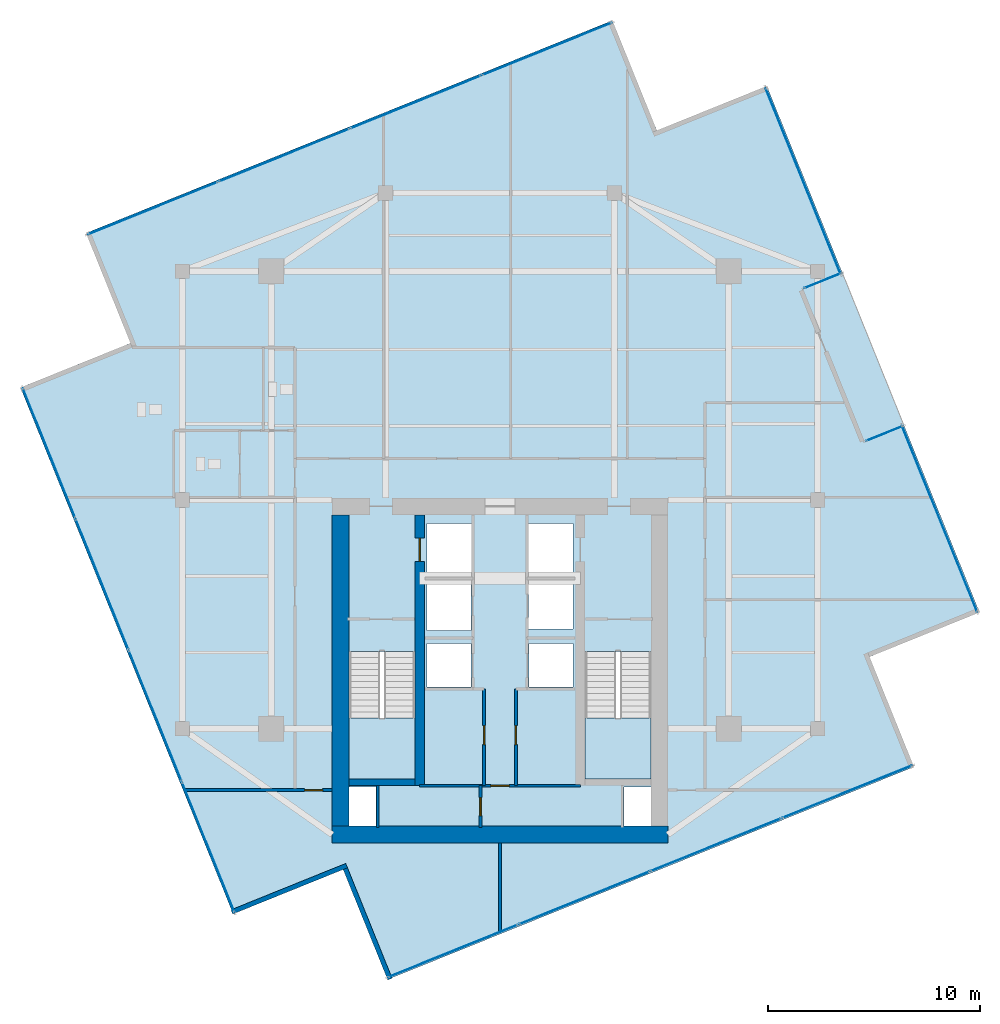
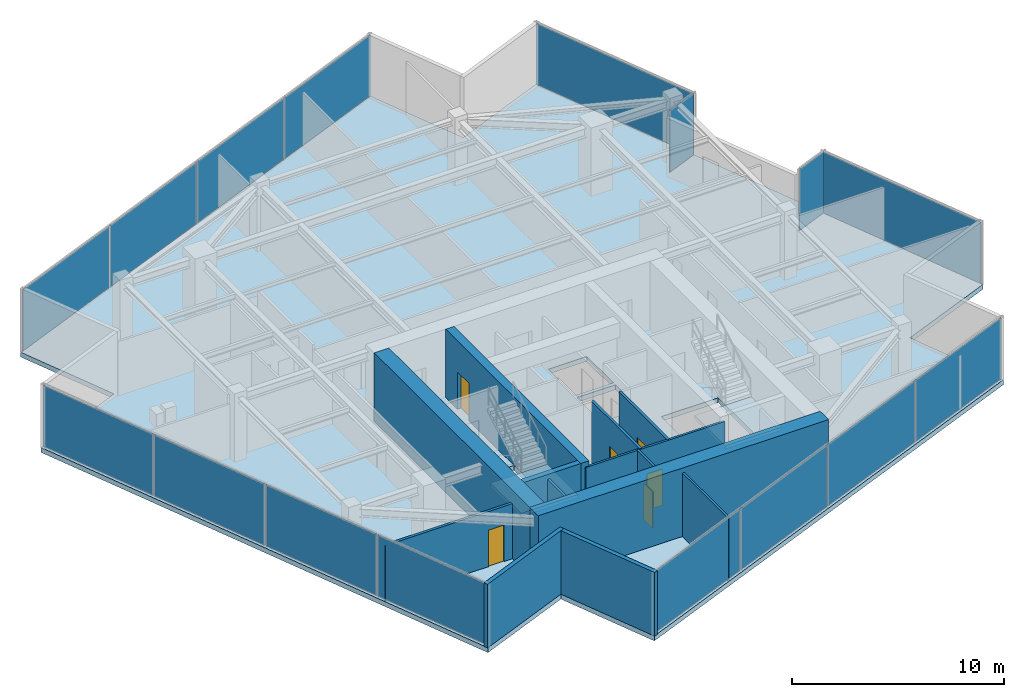
# One storey, part 17 of 21: 16 plates, 13 walls, 6 doors, 3 slabs, 6 openings, 9 elements without a shape of their own.
"""IFC4 building model written with IfcOpenShell, lengths in metres."""

from ifc_helpers import new_model, si_unit, direction, frame, frame_2d, origin, origin_2d, place, context, subcontext, project, spatial, polyline, rectangle, outline, extrude, source, transform, mapped, material, layer, layer_set, type_object, type_shapes, element, fill, aggregate, save


model = new_model("IFC4")

# Units and contexts
model_context = context("Model", 3, precision=1e-05, world=origin(), true_north=direction((0.0, 1.0)))
body_context = subcontext(model_context, "Body", "Model", "MODEL_VIEW")
ifc_project = project(units=[si_unit("LENGTHUNIT", "METRE"), si_unit("AREAUNIT", "SQUARE_METRE"), si_unit("VOLUMEUNIT", "CUBIC_METRE"), si_unit("PLANEANGLEUNIT", "RADIAN"), si_unit("MASSUNIT", "GRAM", prefix="KILO")], contexts=[model_context])

# Site, building, storey
site_placement = place(None, origin())
site = spatial("IfcSite", under=ifc_project, at=site_placement, CompositionType="ELEMENT")
building_placement = place(site_placement, origin())
building = spatial("IfcBuilding", under=site, at=building_placement, Name="Krantzveldt Concourse Tower", CompositionType="ELEMENT")
storey_placement = place(building_placement, frame((0.0, 0.0, 327.699951171875)))
storey = spatial("IfcBuildingStorey", under=building, at=storey_placement, Name="L80", CompositionType="ELEMENT", Elevation=327.699951171875)

# Stair, slab
ifc_material_1 = material(Name="Precast concrete C40/50", Category="concrete")
stair_type = type_object("IfcStairType", Name="STR-CORE-DOGLEG", PredefinedType="HALF_TURN_STAIR", material=ifc_material_1)
stair_1_placement = place(storey_placement, origin())
stair_1 = element("IfcStair", 1, at=stair_1_placement, inside=storey, type_object=stair_type, Name="L80 Protected Escape Stair ST-1", PredefinedType="HALF_TURN_STAIR")
ifc_layer_1 = layer(ifc_material_1, 0.199951171875, Name="Precast concrete C40/50", Category="concrete")
ifc_layer_set_1 = layer_set([ifc_layer_1], Name="Precast concrete C40/50 (SL-LANDING-200)")
slab_type_1 = type_object("IfcSlabType", Name="SL-LANDING-200", PredefinedType="LANDING", material=ifc_layer_set_1)
slab_1_placement = place(storey_placement, frame((0.0, 0.0, 1.775146484375)))
slab_1 = element("IfcSlab", 2, at=slab_1_placement, type_object=slab_type_1, Name="ST-1 landing 1", PredefinedType="LANDING", context=body_context, shape_type="SweptSolid", body=[
    extrude(outline(polyline([(28.8798828125, 16.4150390625), (28.8798828125, 13.52001953125), (31.97998046875, 13.52001953125), (31.97998046875, 16.4150390625), (28.8798828125, 16.4150390625)])), origin(), (0.0, 0.0, 1.0), 0.199951171875),
])
aggregate(stair_1, [slab_1])

stair_2_placement = place(storey_placement, origin())
stair_2 = element("IfcStair", 3, at=stair_2_placement, inside=storey, type_object=stair_type, Name="L80 Protected Escape Stair ST-2", PredefinedType="HALF_TURN_STAIR")
slab_2_placement = place(storey_placement, frame((0.0, 0.0, 1.775146484375)))
slab_2 = element("IfcSlab", 4, at=slab_2_placement, type_object=slab_type_1, Name="ST-2 landing 1", PredefinedType="LANDING", context=body_context, shape_type="SweptSolid", body=[
    extrude(outline(polyline([(40.02001953125, 16.4150390625), (40.02001953125, 13.52001953125), (43.1201171875, 13.52001953125), (43.1201171875, 16.4150390625), (40.02001953125, 16.4150390625)])), origin(), (0.0, 0.0, 1.0), 0.199951171875),
])
aggregate(stair_2, [slab_2])

# Slab
ifc_material_2 = material(Name="Concrete C40/50", Category="concrete")
ifc_layer_2 = layer(ifc_material_2, 0.280029296875, Name="Concrete C40/50", Category="concrete")
ifc_layer_set_2 = layer_set([ifc_layer_2], Name="Concrete C40/50 (SL-SL-TER280)")
slab_type_2 = type_object("IfcSlabType", Name="SL-SL-TER280", PredefinedType="FLOOR", material=ifc_layer_set_2)
slab_3_placement = place(storey_placement, frame((0.0, 0.0, -0.280029296875)))
element("IfcSlab", 5, at=slab_3_placement, inside=storey, type_object=slab_type_2, Name="SL-L80-MAIN", PredefinedType="FLOOR", context=body_context, shape_type="SweptSolid", body=[
    extrude(outline(polyline([(43.404541015625, 44.14404296875), (41.306640625, 49.336181640625), (16.458251953125, 39.296875), (18.555908203125, 34.1044921875), (13.36376953125, 32.0068359375), (23.4033203125, 7.158203125), (28.595458984375, 9.256103515625), (30.693359375, 4.063720703125), (55.541748046875, 14.103271484375), (53.444091796875, 19.29541015625), (58.63623046875, 21.393310546875), (48.5966796875, 46.24169921875), (43.404541015625, 44.14404296875)]), holes=[polyline([(28.8798828125, 19.547607421875), (28.8798828125, 13.52001953125), (31.97998046875, 13.52001953125), (31.97998046875, 19.547607421875), (28.8798828125, 19.547607421875)]), polyline([(40.02001953125, 19.547607421875), (40.02001953125, 13.52001953125), (43.1201171875, 13.52001953125), (43.1201171875, 19.547607421875), (40.02001953125, 19.547607421875)]), polyline([(32.550048828125, 23.10009765625), (34.64990234375, 23.10009765625), (34.64990234375, 25.60009765625), (32.550048828125, 25.60009765625), (32.550048828125, 23.10009765625)]), polyline([(37.35009765625, 23.10009765625), (39.449951171875, 23.10009765625), (39.449951171875, 25.60009765625), (37.35009765625, 25.60009765625), (37.35009765625, 23.10009765625)]), polyline([(37.35009765625, 20.60009765625), (39.449951171875, 20.60009765625), (39.449951171875, 22.89990234375), (37.35009765625, 22.89990234375), (37.35009765625, 20.60009765625)]), polyline([(32.550048828125, 20.550048828125), (34.6201171875, 20.550048828125), (34.6201171875, 22.89990234375), (32.550048828125, 22.89990234375), (32.550048828125, 20.550048828125)]), polyline([(32.550048828125, 17.8798828125), (34.6201171875, 17.8798828125), (34.6201171875, 19.919921875), (32.550048828125, 19.919921875), (32.550048828125, 17.8798828125)]), polyline([(37.3798828125, 17.8798828125), (39.449951171875, 17.8798828125), (39.449951171875, 19.919921875), (37.3798828125, 19.919921875), (37.3798828125, 17.8798828125)]), polyline([(28.8798828125, 11.320068359375), (30.139892578125, 11.320068359375), (30.139892578125, 13.159912109375), (28.8798828125, 13.159912109375), (28.8798828125, 11.320068359375)]), polyline([(41.860107421875, 11.320068359375), (43.1201171875, 11.320068359375), (43.1201171875, 13.159912109375), (41.860107421875, 13.159912109375), (41.860107421875, 11.320068359375)])]), origin(), (0.0, 0.0, 1.0), 0.280029296875),
])

# Curtain wall, plate
ifc_material_3 = material(Name="Anodised aluminium 6063-T6", Category="aluminium")
curtain_wall_type_1 = type_object("IfcCurtainWallType", Name="CW6", PredefinedType="USERDEFINED", material=ifc_material_3)
curtain_wall_1_placement = place(storey_placement, origin())
curtain_wall_1 = element("IfcCurtainWall", 6, at=curtain_wall_1_placement, inside=storey, type_object=curtain_wall_type_1, Name="CW-L80-TR11", ObjectType="UNITISED CURTAIN WALL", PredefinedType="USERDEFINED")
ifc_material_4 = material(Name="Bronze-tinted laminated low-E IGU glass", Category="glass")
ifc_layer_3 = layer(ifc_material_4, 0.031982421875, Name="Bronze-tinted laminated low-E IGU glass", Category="glass")
ifc_layer_set_3 = layer_set([ifc_layer_3], Name="Bronze-tinted laminated low-E IGU glass (CW-GLZ-32)")
plate_type = type_object("IfcPlateType", Name="CW-GLZ-32", PredefinedType="CURTAIN_PANEL", material=ifc_layer_set_3)
shared_shape_1 = source(origin(), body_context, "Body", "SweptSolid", [
    extrude(rectangle(XDim=1.860107421875, YDim=0.031982421875, at=origin_2d()), origin(), (0.0, 0.0, 1.0), 3.530029296875),
])
plate_1_placement = place(storey_placement, frame((54.146484375, 29.836181640625, 0.06982421875), z_axis=(0.0, 0.0, 1.0), x_axis=(-0.9271828321, -0.374609124101, 0.0)))
plate_1 = element("IfcPlate", 7, at=plate_1_placement, type_object=plate_type, Name="CW-TERR panel 1.1", PredefinedType="CURTAIN_PANEL", context=body_context, shape_type="MappedRepresentation", body=[
    mapped(shared_shape_1, transform((0.0, 0.0, 0.0), x_axis=(1.0, 0.0, 0.0), y_axis=(0.0, 1.0, 0.0), z_axis=(0.0, 0.0, 1.0), scale=1.0)),
])
aggregate(curtain_wall_1, [plate_1])

curtain_wall_2_placement = place(storey_placement, origin())
curtain_wall_2 = element("IfcCurtainWall", 8, at=curtain_wall_2_placement, inside=storey, type_object=curtain_wall_type_1, Name="CW-L80-TR13", ObjectType="UNITISED CURTAIN WALL", PredefinedType="USERDEFINED")
plate_2_placement = place(storey_placement, frame((51.232177734375, 37.049560546875, 0.06982421875), z_axis=(0.0, 0.0, 1.0), x_axis=(0.927184568743, 0.374604825762, 0.0)))
plate_2 = element("IfcPlate", 9, at=plate_2_placement, type_object=plate_type, Name="CW-TERR panel 1.1", PredefinedType="CURTAIN_PANEL", context=body_context, shape_type="MappedRepresentation", body=[
    mapped(shared_shape_1, transform((0.0, 0.0, 0.0), x_axis=(1.0, 0.0, 0.0), y_axis=(0.0, 1.0, 0.0), z_axis=(0.0, 0.0, 1.0), scale=1.0)),
])
aggregate(curtain_wall_2, [plate_2])

# Curtain wall, plates
curtain_wall_type_2 = type_object("IfcCurtainWallType", Name="CW4", PredefinedType="USERDEFINED", material=ifc_material_3)
curtain_wall_3_placement = place(storey_placement, origin())
curtain_wall_3 = element("IfcCurtainWall", 10, at=curtain_wall_3_placement, inside=storey, type_object=curtain_wall_type_2, Name="CW-L80-F01", ObjectType="UNITISED CURTAIN WALL", PredefinedType="USERDEFINED")
shared_shape_2 = source(origin(), body_context, "Body", "SweptSolid", [
    extrude(rectangle(XDim=6.594970703125, YDim=0.031982421875, at=origin_2d()), origin(), (0.0, 0.0, 1.0), 3.530029296875),
])
plate_3_placement = place(storey_placement, frame((38.21826171875, 47.9912109375, 0.06982421875), z_axis=(0.0, 0.0, 1.0), x_axis=(-0.927183825969, -0.374606664198, 0.0)))
plate_3 = element("IfcPlate", 11, at=plate_3_placement, type_object=plate_type, Name="CW-Z56 panel 1.1", PredefinedType="CURTAIN_PANEL", context=body_context, shape_type="MappedRepresentation", body=[
    mapped(shared_shape_2, transform((0.0, 0.0, 0.0), x_axis=(1.0, 0.0, 0.0), y_axis=(0.0, 1.0, 0.0), z_axis=(0.0, 0.0, 1.0), scale=1.0)),
])
plate_4_placement = place(storey_placement, frame((19.6142578125, 40.474853515625, 0.06982421875), z_axis=(0.0, 0.0, 1.0), x_axis=(-0.927183825969, -0.374606664198, 0.0)))
plate_4 = element("IfcPlate", 12, at=plate_4_placement, type_object=plate_type, Name="CW-Z56 panel 4.1", PredefinedType="CURTAIN_PANEL", context=body_context, shape_type="MappedRepresentation", body=[
    mapped(shared_shape_2, transform((0.0, 0.0, 0.0), x_axis=(1.0, 0.0, 0.0), y_axis=(0.0, 1.0, 0.0), z_axis=(0.0, 0.0, 1.0), scale=1.0)),
])

curtain_wall_4_placement = place(storey_placement, origin())
curtain_wall_4 = element("IfcCurtainWall", 13, at=curtain_wall_4_placement, inside=storey, type_object=curtain_wall_type_2, Name="CW-L80-F04", ObjectType="UNITISED CURTAIN WALL", PredefinedType="USERDEFINED")
plate_5_placement = place(storey_placement, frame((14.708740234375, 28.918212890625, 0.06982421875), z_axis=(0.0, 0.0, 1.0), x_axis=(0.374606664198, -0.927183825969, 0.0)))
plate_5 = element("IfcPlate", 14, at=plate_5_placement, type_object=plate_type, Name="CW-Z56 panel 1.1", PredefinedType="CURTAIN_PANEL", context=body_context, shape_type="MappedRepresentation", body=[
    mapped(shared_shape_2, transform((0.0, 0.0, 0.0), x_axis=(1.0, 0.0, 0.0), y_axis=(0.0, 1.0, 0.0), z_axis=(0.0, 0.0, 1.0), scale=1.0)),
])
plate_6_placement = place(storey_placement, frame((22.22509765625, 10.314208984375, 0.06982421875), z_axis=(0.0, 0.0, 1.0), x_axis=(0.374606664198, -0.927183825969, 0.0)))
plate_6 = element("IfcPlate", 15, at=plate_6_placement, type_object=plate_type, Name="CW-Z56 panel 4.1", PredefinedType="CURTAIN_PANEL", context=body_context, shape_type="MappedRepresentation", body=[
    mapped(shared_shape_2, transform((0.0, 0.0, 0.0), x_axis=(1.0, 0.0, 0.0), y_axis=(0.0, 1.0, 0.0), z_axis=(0.0, 0.0, 1.0), scale=1.0)),
])

curtain_wall_5_placement = place(storey_placement, origin())
curtain_wall_5 = element("IfcCurtainWall", 16, at=curtain_wall_5_placement, inside=storey, type_object=curtain_wall_type_2, Name="CW-L80-F07", ObjectType="UNITISED CURTAIN WALL", PredefinedType="USERDEFINED")
plate_7_placement = place(storey_placement, frame((33.78173828125, 5.40869140625, 0.06982421875), z_axis=(0.0, 0.0, 1.0), x_axis=(0.927183825969, 0.374606664198, 0.0)))
plate_7 = element("IfcPlate", 17, at=plate_7_placement, type_object=plate_type, Name="CW-Z56 panel 1.1", PredefinedType="CURTAIN_PANEL", context=body_context, shape_type="MappedRepresentation", body=[
    mapped(shared_shape_2, transform((0.0, 0.0, 0.0), x_axis=(1.0, 0.0, 0.0), y_axis=(0.0, 1.0, 0.0), z_axis=(0.0, 0.0, 1.0), scale=1.0)),
])
plate_8_placement = place(storey_placement, frame((52.3857421875, 12.92529296875, 0.06982421875), z_axis=(0.0, 0.0, 1.0), x_axis=(0.927183825969, 0.374606664198, 0.0)))
plate_8 = element("IfcPlate", 18, at=plate_8_placement, type_object=plate_type, Name="CW-Z56 panel 4.1", PredefinedType="CURTAIN_PANEL", context=body_context, shape_type="MappedRepresentation", body=[
    mapped(shared_shape_2, transform((0.0, 0.0, 0.0), x_axis=(1.0, 0.0, 0.0), y_axis=(0.0, 1.0, 0.0), z_axis=(0.0, 0.0, 1.0), scale=1.0)),
])

# Plate
shared_shape_3 = source(origin(), body_context, "Body", "SweptSolid", [
    extrude(rectangle(XDim=6.6298828125, YDim=0.031982421875, at=origin_2d()), origin(), (0.0, 0.0, 1.0), 3.530029296875),
])
plate_9_placement = place(storey_placement, frame((32.022216796875, 45.488037109375, 0.06982421875), z_axis=(0.0, 0.0, 1.0), x_axis=(-0.927183825969, -0.374606664198, 0.0)))
plate_9 = element("IfcPlate", 19, at=plate_9_placement, type_object=plate_type, Name="CW-Z56 panel 2.1", PredefinedType="CURTAIN_PANEL", context=body_context, shape_type="MappedRepresentation", body=[
    mapped(shared_shape_3, transform((0.0, 0.0, 0.0), x_axis=(1.0, 0.0, 0.0), y_axis=(0.0, 1.0, 0.0), z_axis=(0.0, 0.0, 1.0), scale=1.0)),
])

plate_10_placement = place(storey_placement, frame((25.81005859375, 42.97802734375, 0.06982421875), z_axis=(0.0, 0.0, 1.0), x_axis=(-0.927183825969, -0.374606664198, 0.0)))
plate_10 = element("IfcPlate", 20, at=plate_10_placement, type_object=plate_type, Name="CW-Z56 panel 3.1", PredefinedType="CURTAIN_PANEL", context=body_context, shape_type="MappedRepresentation", body=[
    mapped(shared_shape_3, transform((0.0, 0.0, 0.0), x_axis=(1.0, 0.0, 0.0), y_axis=(0.0, 1.0, 0.0), z_axis=(0.0, 0.0, 1.0), scale=1.0)),
])

aggregate(curtain_wall_3, [plate_3, plate_9, plate_10, plate_4])

plate_11_placement = place(storey_placement, frame((17.2119140625, 22.72216796875, 0.06982421875), z_axis=(0.0, 0.0, 1.0), x_axis=(0.374606664198, -0.927183825969, 0.0)))
plate_11 = element("IfcPlate", 21, at=plate_11_placement, type_object=plate_type, Name="CW-Z56 panel 2.1", PredefinedType="CURTAIN_PANEL", context=body_context, shape_type="MappedRepresentation", body=[
    mapped(shared_shape_3, transform((0.0, 0.0, 0.0), x_axis=(1.0, 0.0, 0.0), y_axis=(0.0, 1.0, 0.0), z_axis=(0.0, 0.0, 1.0), scale=1.0)),
])

plate_12_placement = place(storey_placement, frame((19.721923828125, 16.510009765625, 0.06982421875), z_axis=(0.0, 0.0, 1.0), x_axis=(0.374606664198, -0.927183825969, 0.0)))
plate_12 = element("IfcPlate", 22, at=plate_12_placement, type_object=plate_type, Name="CW-Z56 panel 3.1", PredefinedType="CURTAIN_PANEL", context=body_context, shape_type="MappedRepresentation", body=[
    mapped(shared_shape_3, transform((0.0, 0.0, 0.0), x_axis=(1.0, 0.0, 0.0), y_axis=(0.0, 1.0, 0.0), z_axis=(0.0, 0.0, 1.0), scale=1.0)),
])

aggregate(curtain_wall_4, [plate_5, plate_11, plate_12, plate_6])

plate_13_placement = place(storey_placement, frame((39.977783203125, 7.912109375, 0.06982421875), z_axis=(0.0, 0.0, 1.0), x_axis=(0.927183825969, 0.374606664198, 0.0)))
plate_13 = element("IfcPlate", 23, at=plate_13_placement, type_object=plate_type, Name="CW-Z56 panel 2.1", PredefinedType="CURTAIN_PANEL", context=body_context, shape_type="MappedRepresentation", body=[
    mapped(shared_shape_3, transform((0.0, 0.0, 0.0), x_axis=(1.0, 0.0, 0.0), y_axis=(0.0, 1.0, 0.0), z_axis=(0.0, 0.0, 1.0), scale=1.0)),
])

plate_14_placement = place(storey_placement, frame((46.18994140625, 10.421875, 0.06982421875), z_axis=(0.0, 0.0, 1.0), x_axis=(0.927183825969, 0.374606664198, 0.0)))
plate_14 = element("IfcPlate", 24, at=plate_14_placement, type_object=plate_type, Name="CW-Z56 panel 3.1", PredefinedType="CURTAIN_PANEL", context=body_context, shape_type="MappedRepresentation", body=[
    mapped(shared_shape_3, transform((0.0, 0.0, 0.0), x_axis=(1.0, 0.0, 0.0), y_axis=(0.0, 1.0, 0.0), z_axis=(0.0, 0.0, 1.0), scale=1.0)),
])

aggregate(curtain_wall_5, [plate_7, plate_13, plate_14, plate_8])

# Curtain wall, plate
curtain_wall_6_placement = place(storey_placement, origin())
curtain_wall_6 = element("IfcCurtainWall", 25, at=curtain_wall_6_placement, inside=storey, type_object=curtain_wall_type_2, Name="CW-L80-F10", ObjectType="UNITISED CURTAIN WALL", PredefinedType="USERDEFINED")
shared_shape_4 = source(origin(), body_context, "Body", "SweptSolid", [
    extrude(rectangle(XDim=9.4599609375, YDim=0.031982421875, at=origin_2d()), origin(), (0.0, 0.0, 1.0), 3.530029296875),
])
type_shapes(plate_type, [shared_shape_1, shared_shape_2, shared_shape_3, shared_shape_4])
plate_15_placement = place(storey_placement, frame((56.754638671875, 25.81005859375, 0.06982421875), z_axis=(0.0, 0.0, 1.0), x_axis=(-0.374606117426, 0.927184046879, 0.0)))
plate_15 = element("IfcPlate", 26, at=plate_15_placement, type_object=plate_type, Name="CW-Z56 panel 1.1", PredefinedType="CURTAIN_PANEL", context=body_context, shape_type="MappedRepresentation", body=[
    mapped(shared_shape_4, transform((0.0, 0.0, 0.0), x_axis=(1.0, 0.0, 0.0), y_axis=(0.0, 1.0, 0.0), z_axis=(0.0, 0.0, 1.0), scale=1.0)),
])
aggregate(curtain_wall_6, [plate_15])

curtain_wall_7_placement = place(storey_placement, origin())
curtain_wall_7 = element("IfcCurtainWall", 27, at=curtain_wall_7_placement, inside=storey, type_object=curtain_wall_type_2, Name="CW-L80-F14", ObjectType="UNITISED CURTAIN WALL", PredefinedType="USERDEFINED")
plate_16_placement = place(storey_placement, frame((50.3115234375, 41.757568359375, 0.06982421875), z_axis=(0.0, 0.0, 1.0), x_axis=(-0.374607012913, 0.927183685079, 0.0)))
plate_16 = element("IfcPlate", 28, at=plate_16_placement, type_object=plate_type, Name="CW-Z56 panel 1.1", PredefinedType="CURTAIN_PANEL", context=body_context, shape_type="MappedRepresentation", body=[
    mapped(shared_shape_4, transform((0.0, 0.0, 0.0), x_axis=(1.0, 0.0, 0.0), y_axis=(0.0, 1.0, 0.0), z_axis=(0.0, 0.0, 1.0), scale=1.0)),
])
aggregate(curtain_wall_7, [plate_16])

# Walls
ifc_layer_4 = layer(ifc_material_3, 0.219970703125, Name="Anodised aluminium 6063-T6", Category="aluminium")
ifc_layer_set_4 = layer_set([ifc_layer_4], Name="Anodised aluminium 6063-T6 (WL-EXT-NOTCH220)")
wall_type_1 = type_object("IfcWallType", Name="WL-EXT-NOTCH220", PredefinedType="ELEMENTEDWALL", material=ifc_layer_set_4)
wall_1_placement = place(storey_placement, frame((23.3388671875, 7.250732421875, 0.0), z_axis=(0.0, 0.0, 1.0), x_axis=(0.927177676614, 0.374621884023, 0.0)))
element("IfcWall", 29, at=wall_1_placement, inside=storey, type_object=wall_type_1, Name="EW-L80-NCH05", PredefinedType="ELEMENTEDWALL", context=body_context, shape_type="SweptSolid", body=[
    extrude(rectangle(XDim=5.844970703125, YDim=0.219970703125, at=frame_2d((2.92236328125, 0.0))), origin(), (0.0, 0.0, 1.0), 3.670166015625),
])
wall_2_placement = place(storey_placement, frame((28.697509765625, 9.297119140625, 0.0), z_axis=(0.0, 0.0, 1.0), x_axis=(0.374613748588, -0.927180963658, 0.0)))
element("IfcWall", 30, at=wall_2_placement, inside=storey, type_object=wall_type_1, Name="EW-L80-NCH06", PredefinedType="ELEMENTEDWALL", context=body_context, shape_type="SweptSolid", body=[
    extrude(rectangle(XDim=5.625, YDim=0.219970703125, at=frame_2d((2.8125, 0.0))), origin(), (0.0, 0.0, 1.0), 3.670166015625),
])

# Wall, opening, door
ifc_material_5 = material(Name="Fire-rated gypsum plasterboard on steel stud", Category="steel")
ifc_layer_5 = layer(ifc_material_5, 0.1201171875, Name="Fire-rated gypsum plasterboard on steel stud", Category="steel")
ifc_layer_set_5 = layer_set([ifc_layer_5], Name="Fire-rated gypsum plasterboard on steel stud (WL-PART-120)")
wall_type_2 = type_object("IfcWallType", Name="WL-PART-120", PredefinedType="PARTITIONING", material=ifc_layer_set_5)
wall_3_placement = place(storey_placement, frame((32.2099609375, 13.219970703125, 0.0), z_axis=(0.0, 0.0, 1.0), x_axis=(1.0, 0.0, 0.0)))
wall_3 = element("IfcWall", 31, at=wall_3_placement, inside=storey, type_object=wall_type_2, Name="WP-L80-CS2H", PredefinedType="PARTITIONING", context=body_context, shape_type="SweptSolid", body=[
    extrude(rectangle(XDim=7.580078125, YDim=0.1201171875, at=frame_2d((3.7900390625, 0.0))), origin(), (0.0, 0.0, 1.0), 3.670166015625),
])
opening_1_placement = place(wall_3_placement, frame((3.364990234375, 0.0, 0.0)))
opening_1 = element("IfcOpeningElement", 32, at=opening_1_placement, cuts=wall_3, Name="Opening D-IN085", PredefinedType="OPENING", context=body_context, shape_type="SweptSolid", body=[
    extrude(rectangle(XDim=0.85009765625, YDim=2.10009765625, at=frame_2d((0.425048828125, 1.050048828125))), frame((0.0, 0.070068359375, 0.0), z_axis=(0.0, -1.0, 0.0), x_axis=(1.0, 0.0, 0.0)), (0.0, 0.0, 1.0), 0.14013671875),
])
ifc_material_6 = material(Name="Hardwood timber", Category="wood")
door_type_1 = type_object("IfcDoorType", Name="DR-INT-850", OperationType="SINGLE_SWING_LEFT", PredefinedType="DOOR", material=ifc_material_6)
door_1_placement = place(opening_1_placement, origin())
door_1 = element("IfcDoor", 33, at=door_1_placement, inside=storey, type_object=door_type_1, Name="DR-L80-LLBS", OperationType="SINGLE_SWING_RIGHT", OverallHeight=2.10009765625, OverallWidth=0.85009765625, PredefinedType="DOOR", context=body_context, shape_type="SweptSolid", body=[
    extrude(rectangle(XDim=0.85009765625, YDim=2.10009765625, at=frame_2d((0.425048828125, 1.050048828125))), frame((0.0, 0.02490234375, 0.0), z_axis=(0.0, -1.0, 0.0), x_axis=(1.0, 0.0, 0.0)), (0.0, 0.0, 1.0), 0.050048828125),
])
fill(opening_1, door_1)

wall_4_placement = place(storey_placement, frame((35.080078125, 11.25, 0.0), z_axis=(0.0, 0.0, 1.0), x_axis=(0.0, 1.0, 0.0)))
wall_4 = element("IfcWall", 34, at=wall_4_placement, inside=storey, type_object=wall_type_2, Name="WP-L80-CSA-V", PredefinedType="PARTITIONING", context=body_context, shape_type="SweptSolid", body=[
    extrude(rectangle(XDim=1.969970703125, YDim=0.1201171875, at=frame_2d((0.98486328125, 0.0))), origin(), (0.0, 0.0, 1.0), 3.670166015625),
])
opening_2_placement = place(wall_4_placement, frame((0.544921875, 0.0, 0.0)))
opening_2 = element("IfcOpeningElement", 35, at=opening_2_placement, cuts=wall_4, Name="Opening D-IN085", PredefinedType="OPENING", context=body_context, shape_type="SweptSolid", body=[
    extrude(rectangle(XDim=0.85009765625, YDim=2.10009765625, at=frame_2d((0.425048828125, 1.050048828125))), frame((0.0, 0.070068359375, 0.0), z_axis=(0.0, -1.0, 0.0), x_axis=(1.0, 0.0, 0.0)), (0.0, 0.0, 1.0), 0.14013671875),
])
door_2_placement = place(opening_2_placement, origin())
door_2 = element("IfcDoor", 36, at=door_2_placement, inside=storey, type_object=door_type_1, Name="DR-L80-CSA1", OperationType="SINGLE_SWING_LEFT", OverallHeight=2.10009765625, OverallWidth=0.85009765625, PredefinedType="DOOR", context=body_context, shape_type="SweptSolid", body=[
    extrude(rectangle(XDim=0.85009765625, YDim=2.10009765625, at=frame_2d((0.425048828125, 1.050048828125))), frame((0.0, 0.02490234375, 0.0), z_axis=(0.0, -1.0, 0.0), x_axis=(1.0, 0.0, 0.0)), (0.0, 0.0, 1.0), 0.050048828125),
])
fill(opening_2, door_2)

# Wall
wall_5_placement = place(storey_placement, frame((36.0, 6.304931640625, 0.0), z_axis=(0.0, 0.0, 1.0), x_axis=(0.0, 1.0, 0.0)))
element("IfcWall", 37, at=wall_5_placement, inside=storey, type_object=wall_type_2, Name="WP-L80-SSMD", PredefinedType="PARTITIONING", context=body_context, shape_type="SweptSolid", body=[
    extrude(rectangle(XDim=4.195068359375, YDim=0.1201171875, at=frame_2d((2.09765625, 0.0))), origin(), (0.0, 0.0, 1.0), 3.670166015625),
])

# Wall, opening, door
ifc_layer_6 = layer(ifc_material_5, 0.139892578125, Name="Fire-rated gypsum plasterboard on steel stud", Category="steel")
ifc_layer_set_6 = layer_set([ifc_layer_6], Name="Fire-rated gypsum plasterboard on steel stud (WL-PART-140)")
wall_type_3 = type_object("IfcWallType", Name="WL-PART-140", PredefinedType="PARTITIONING", material=ifc_layer_set_6)
wall_6_placement = place(storey_placement, frame((21.14013671875, 13.0, 0.0), z_axis=(0.0, 0.0, 1.0), x_axis=(1.0, 0.0, 0.0)))
wall_6 = element("IfcWall", 38, at=wall_6_placement, inside=storey, type_object=wall_type_3, Name="WP-L80-CSBOTW", PredefinedType="PARTITIONING", context=body_context, shape_type="SweptSolid", body=[
    extrude(rectangle(XDim=6.93994140625, YDim=0.139892578125, at=frame_2d((3.469970703125, 0.0))), origin(), (0.0, 0.0, 1.0), 3.179931640625),
])
opening_3_placement = place(wall_6_placement, frame((5.635009765625, 0.0, 0.0)))
opening_3 = element("IfcOpeningElement", 39, at=opening_3_placement, cuts=wall_6, Name="Opening D-IN085", PredefinedType="OPENING", context=body_context, shape_type="SweptSolid", body=[
    extrude(rectangle(XDim=0.85009765625, YDim=2.10009765625, at=frame_2d((0.425048828125, 1.050048828125))), frame((0.0, 0.080078125, 0.0), z_axis=(0.0, -1.0, 0.0), x_axis=(1.0, 0.0, 0.0)), (0.0, 0.0, 1.0), 0.159912109375),
])
door_3_placement = place(opening_3_placement, origin())
door_3 = element("IfcDoor", 40, at=door_3_placement, inside=storey, type_object=door_type_1, Name="DR-L80-SR1", OperationType="SINGLE_SWING_LEFT", OverallHeight=2.10009765625, OverallWidth=0.85009765625, PredefinedType="DOOR", context=body_context, shape_type="SweptSolid", body=[
    extrude(rectangle(XDim=0.85009765625, YDim=2.10009765625, at=frame_2d((0.425048828125, 1.050048828125))), frame((0.0, 0.02490234375, 0.0), z_axis=(0.0, -1.0, 0.0), x_axis=(1.0, 0.0, 0.0)), (0.0, 0.0, 1.0), 0.050048828125),
])
fill(opening_3, door_3)

ifc_layer_7 = layer(ifc_material_5, 0.139892578125, Name="Fire-rated gypsum plasterboard on steel stud", Category="steel")
ifc_layer_set_7 = layer_set([ifc_layer_7], Name="Fire-rated gypsum plasterboard on steel stud (WL-PART-FR140)")
wall_type_4 = type_object("IfcWallType", Name="WL-PART-FR140", PredefinedType="PARTITIONING", material=ifc_layer_set_7)
wall_7_placement = place(storey_placement, frame((35.25, 13.219970703125, 0.0), z_axis=(0.0, 0.0, 1.0), x_axis=(0.0, 1.0, 0.0)))
wall_7 = element("IfcWall", 41, at=wall_7_placement, inside=storey, type_object=wall_type_4, Name="WP-L80-RECW", PredefinedType="PARTITIONING", context=body_context, shape_type="SweptSolid", body=[
    extrude(rectangle(XDim=4.56005859375, YDim=0.139892578125, at=frame_2d((2.280029296875, 0.0))), origin(), (0.0, 0.0, 1.0), 3.670166015625),
])
opening_4_placement = place(wall_7_placement, frame((1.929931640625, 0.0, 0.0)))
opening_4 = element("IfcOpeningElement", 42, at=opening_4_placement, cuts=wall_7, Name="Opening D-FD090", PredefinedType="OPENING", context=body_context, shape_type="SweptSolid", body=[
    extrude(rectangle(XDim=0.89990234375, YDim=2.10009765625, at=frame_2d((0.449951171875, 1.050048828125))), frame((0.0, 0.080078125, 0.0), z_axis=(0.0, -1.0, 0.0), x_axis=(1.0, 0.0, 0.0)), (0.0, 0.0, 1.0), 0.159912109375),
])
door_type_2 = type_object("IfcDoorType", Name="DR-FD60-900", OperationType="SINGLE_SWING_LEFT", PredefinedType="DOOR", material=ifc_material_6)
door_4_placement = place(opening_4_placement, origin())
door_4 = element("IfcDoor", 43, at=door_4_placement, inside=storey, type_object=door_type_2, Name="DR-L80-RECW", OperationType="SINGLE_SWING_LEFT", OverallHeight=2.10009765625, OverallWidth=0.89990234375, PredefinedType="DOOR", context=body_context, shape_type="SweptSolid", body=[
    extrude(rectangle(XDim=0.89990234375, YDim=2.10009765625, at=frame_2d((0.449951171875, 1.050048828125))), frame((0.0, 0.02490234375, 0.0), z_axis=(0.0, -1.0, 0.0), x_axis=(1.0, 0.0, 0.0)), (0.0, 0.0, 1.0), 0.050048828125),
])
fill(opening_4, door_4)

wall_8_placement = place(storey_placement, frame((36.75, 13.219970703125, 0.0), z_axis=(0.0, 0.0, 1.0), x_axis=(0.0, 1.0, 0.0)))
wall_8 = element("IfcWall", 44, at=wall_8_placement, inside=storey, type_object=wall_type_4, Name="WP-L80-RECE", PredefinedType="PARTITIONING", context=body_context, shape_type="SweptSolid", body=[
    extrude(rectangle(XDim=4.56005859375, YDim=0.139892578125, at=frame_2d((2.280029296875, 0.0))), origin(), (0.0, 0.0, 1.0), 3.670166015625),
])
opening_5_placement = place(wall_8_placement, frame((1.929931640625, 0.0, 0.0)))
opening_5 = element("IfcOpeningElement", 45, at=opening_5_placement, cuts=wall_8, Name="Opening D-FD090", PredefinedType="OPENING", context=body_context, shape_type="SweptSolid", body=[
    extrude(rectangle(XDim=0.89990234375, YDim=2.10009765625, at=frame_2d((0.449951171875, 1.050048828125))), frame((0.0, 0.080078125, 0.0), z_axis=(0.0, -1.0, 0.0), x_axis=(1.0, 0.0, 0.0)), (0.0, 0.0, 1.0), 0.159912109375),
])
door_5_placement = place(opening_5_placement, origin())
door_5 = element("IfcDoor", 46, at=door_5_placement, inside=storey, type_object=door_type_2, Name="DR-L80-RECE", OperationType="SINGLE_SWING_RIGHT", OverallHeight=2.10009765625, OverallWidth=0.89990234375, PredefinedType="DOOR", context=body_context, shape_type="SweptSolid", body=[
    extrude(rectangle(XDim=0.89990234375, YDim=2.10009765625, at=frame_2d((0.449951171875, 1.050048828125))), frame((0.0, 0.02490234375, 0.0), z_axis=(0.0, -1.0, 0.0), x_axis=(1.0, 0.0, 0.0)), (0.0, 0.0, 1.0), 0.050048828125),
])
fill(opening_5, door_5)

# Walls
wall_9_placement = place(storey_placement, frame((30.219970703125, 11.25, 0.0), z_axis=(0.0, 0.0, 1.0), x_axis=(0.0, 1.0, 0.0)))
element("IfcWall", 47, at=wall_9_placement, inside=storey, type_object=wall_type_4, Name="WP-L80-RSW", PredefinedType="PARTITIONING", context=body_context, shape_type="SweptSolid", body=[
    extrude(rectangle(XDim=1.969970703125, YDim=0.1201171875, at=frame_2d((0.98486328125, 0.0))), origin(), (0.0, 0.0, 1.0), 3.670166015625),
])
ifc_material_7 = material(Name="Concrete C50/60", Category="concrete")
ifc_layer_8 = layer(ifc_material_7, 0.300048828125, Name="Concrete C50/60", Category="concrete")
ifc_layer_set_8 = layer_set([ifc_layer_8], Name="Concrete C50/60 (WL-SHEAR-300)")
wall_type_5 = type_object("IfcWallType", Name="WL-SHEAR-300", PredefinedType="SHEAR", material=ifc_layer_set_8)
wall_10_placement = place(storey_placement, frame((28.8798828125, 13.3701171875, 0.0), z_axis=(0.0, 0.0, 1.0), x_axis=(1.0, 0.0, 0.0)))
element("IfcWall", 48, at=wall_10_placement, inside=storey, type_object=wall_type_5, Name="CW-L80-ST1S", PredefinedType="SHEAR", context=body_context, shape_type="SweptSolid", body=[
    extrude(rectangle(XDim=3.10009765625, YDim=0.300048828125, at=frame_2d((1.550048828125, 0.0))), origin(), (0.0, 0.0, 1.0), 3.949951171875),
])

# Wall, opening, door
ifc_layer_9 = layer(ifc_material_7, 0.449951171875, Name="Concrete C50/60", Category="concrete")
ifc_layer_set_9 = layer_set([ifc_layer_9], Name="Concrete C50/60 (WL-SHEAR-450)")
wall_type_6 = type_object("IfcWallType", Name="WL-SHEAR-450", PredefinedType="SHEAR", material=ifc_layer_set_9)
wall_11_placement = place(storey_placement, frame((32.205078125, 13.219970703125, 0.0), z_axis=(0.0, 0.0, 1.0), x_axis=(0.0, 1.0, 0.0)))
wall_11 = element("IfcWall", 49, at=wall_11_placement, inside=storey, type_object=wall_type_6, Name="CW-L80-IW", PredefinedType="SHEAR", context=body_context, shape_type="SweptSolid", body=[
    extrude(rectangle(XDim=12.780029296875, YDim=0.449951171875, at=frame_2d((6.39013671875, 0.0))), origin(), (0.0, 0.0, 1.0), 3.949951171875),
])
opening_6_placement = place(wall_11_placement, frame((10.580078125, 0.0, 0.0)))
opening_6 = element("IfcOpeningElement", 50, at=opening_6_placement, cuts=wall_11, Name="Opening LD", PredefinedType="OPENING", context=body_context, shape_type="SweptSolid", body=[
    extrude(rectangle(XDim=1.10009765625, YDim=2.14990234375, at=frame_2d((0.550048828125, 1.074951171875))), frame((0.0, 0.23486328125, 0.0), z_axis=(0.0, -1.0, 0.0), x_axis=(1.0, 0.0, 0.0)), (0.0, 0.0, 1.0), 0.469970703125),
])
ifc_material_8 = material(Name="Stainless steel 316L", Category="steel")
door_type_3 = type_object("IfcDoorType", Name="DR-SLIDE-LD1100", OperationType="DOUBLE_DOOR_SLIDING", PredefinedType="DOOR", material=ifc_material_8)
door_6_placement = place(opening_6_placement, origin())
door_6 = element("IfcDoor", 51, at=door_6_placement, inside=storey, type_object=door_type_3, Name="LD-L80-FL1", OperationType="DOUBLE_DOOR_SLIDING", OverallHeight=2.14990234375, OverallWidth=1.10009765625, PredefinedType="DOOR", context=body_context, shape_type="SweptSolid", body=[
    extrude(rectangle(XDim=1.10009765625, YDim=2.14990234375, at=frame_2d((0.550048828125, 1.074951171875))), frame((0.0, 0.02490234375, 0.0), z_axis=(0.0, -1.0, 0.0), x_axis=(1.0, 0.0, 0.0)), (0.0, 0.0, 1.0), 0.050048828125),
])
fill(opening_6, door_6)

# Walls
ifc_material_9 = material(Name="Concrete C60/75", Category="concrete")
ifc_layer_10 = layer(ifc_material_9, 0.800048828125, Name="Concrete C60/75", Category="concrete")
ifc_layer_set_10 = layer_set([ifc_layer_10], Name="Concrete C60/75 (WL-SHEAR-800)")
wall_type_7 = type_object("IfcWallType", Name="WL-SHEAR-800", PredefinedType="SHEAR", material=ifc_layer_set_10)
wall_12_placement = place(storey_placement, frame((28.080078125, 10.89990234375, 0.0), z_axis=(0.0, 0.0, 1.0), x_axis=(1.0, 0.0, 0.0)))
element("IfcWall", 52, at=wall_12_placement, inside=storey, type_object=wall_type_7, Name="CW-L80-S", PredefinedType="SHEAR", context=body_context, shape_type="SweptSolid", body=[
    extrude(rectangle(XDim=15.83984375, YDim=0.800048828125, at=frame_2d((7.919921875, 0.0))), origin(), (0.0, 0.0, 1.0), 3.949951171875),
])
wall_13_placement = place(storey_placement, frame((28.47998046875, 11.300048828125, 0.0), z_axis=(0.0, 0.0, 1.0), x_axis=(0.0, 1.0, 0.0)))
element("IfcWall", 53, at=wall_13_placement, inside=storey, type_object=wall_type_7, Name="CW-L80-W", PredefinedType="SHEAR", context=body_context, shape_type="SweptSolid", body=[
    extrude(rectangle(XDim=14.699951171875, YDim=0.800048828125, at=frame_2d((7.35009765625, 0.0))), origin(), (0.0, 0.0, 1.0), 3.949951171875),
])

save(model, "model.ifc")
